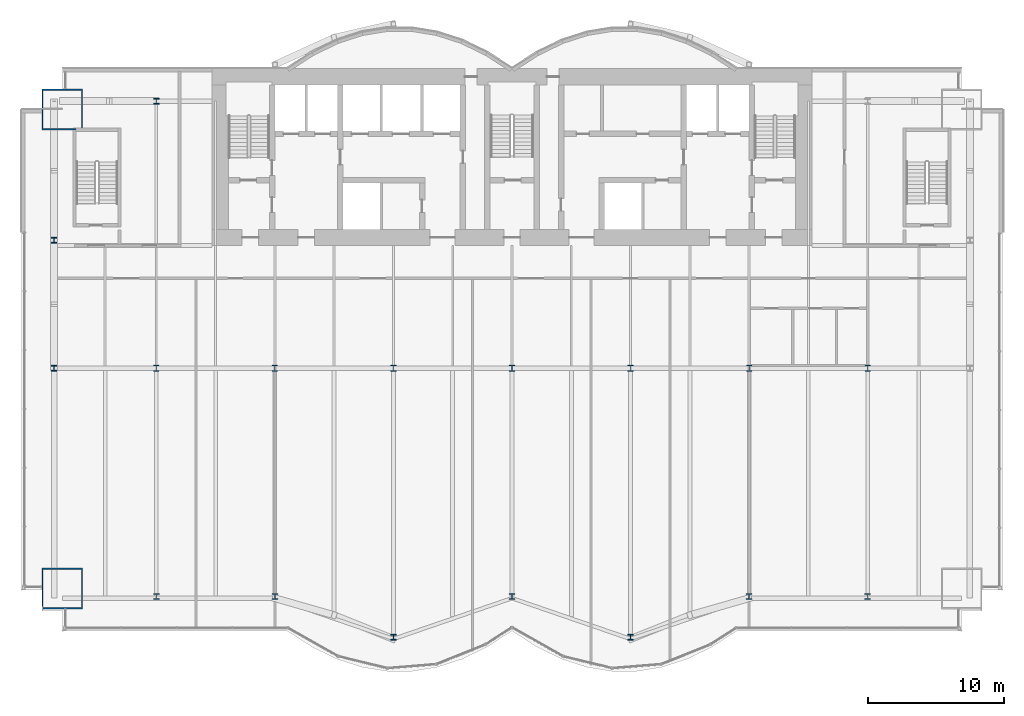
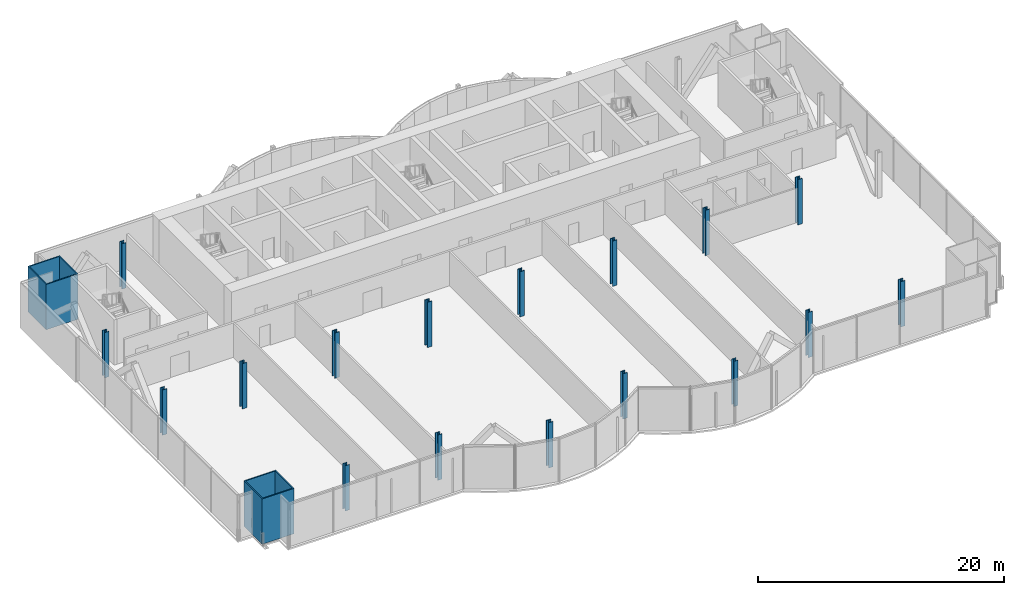
# One storey, part 1 of 21: 19 columns.
"""IFC4 building model written with IfcOpenShell, lengths in metres."""

from ifc_helpers import new_model, si_unit, direction, frame, origin, origin_2d, place, context, subcontext, project, spatial, hollow_rectangle, i_section, extrude, material, material_profile, profile_set, type_object, element, save


model = new_model("IFC4")

# Units and contexts
model_context = context("Model", 3, precision=1e-05, world=origin(), true_north=direction((0.0, 1.0)))
body_context = subcontext(model_context, "Body", "Model", "MODEL_VIEW")
ifc_project = project(units=[si_unit("LENGTHUNIT", "METRE"), si_unit("AREAUNIT", "SQUARE_METRE"), si_unit("VOLUMEUNIT", "CUBIC_METRE"), si_unit("PLANEANGLEUNIT", "RADIAN"), si_unit("MASSUNIT", "GRAM", prefix="KILO")], contexts=[model_context])

# Site, building, storey
site_placement = place(None, origin())
site = spatial("IfcSite", under=ifc_project, at=site_placement, CompositionType="ELEMENT")
building_placement = place(site_placement, origin())
building = spatial("IfcBuilding", under=site, at=building_placement, Name="Bicima Exchange Tower", CompositionType="ELEMENT")
storey_placement = place(building_placement, frame((0.0, 0.0, 48.5)))
storey = spatial("IfcBuildingStorey", under=building, at=storey_placement, Name="L09", CompositionType="ELEMENT", Elevation=48.5)

# Columns
ifc_material_1 = material(Name="Steel ASTM A992 Gr 50", Category="steel")
ifc_material_profile_1 = material_profile(ifc_material_1, i_section(OverallWidth=0.419189453125, OverallDepth=0.45458984375, WebThickness=0.042236328125, FlangeThickness=0.067626953125, at=origin_2d()))
ifc_profile_set_1 = profile_set([ifc_material_profile_1], Name="Steel ASTM A992 Gr 50")
column_type_1 = type_object("IfcColumnType", Name="Interior column W14x370", PredefinedType="COLUMN", material=ifc_profile_set_1)
for number, where, z_axis, x_axis, name in (
    (1, (-26.10009765625, -22.0, 0.0), (0.0, 0.0, 1.0), (1.0, 0.0, 0.0), "Interior column interior-26.1i"),
    (2, (-17.39990234375, -22.0, 0.0), (0.0, 0.0, 1.0), (1.0, 0.0, 0.0), "Interior column interior-17.4i"),
    (3, (-8.699951171875, -22.0, 0.0), (0.0, 0.0, 1.0), (1.0, 0.0, 0.0), "Interior column interior-8.7i"),
    (4, (0.0, -22.0, 0.0), (0.0, 0.0, 1.0), (1.0, 0.0, 0.0), "Interior column interior+0.0i"),
    (5, (8.699951171875, -22.0, 0.0), (0.0, 0.0, 1.0), (1.0, 0.0, 0.0), "Interior column interior+8.7i"),
    (6, (17.39990234375, -22.0, 0.0), (0.0, 0.0, 1.0), (1.0, 0.0, 0.0), "Interior column interior+17.4i"),
    (7, (26.10009765625, -22.0, 0.0), (0.0, 0.0, 1.0), (1.0, 0.0, 0.0), "Interior column interior+26.1i"),
):
    element("IfcColumn", number, at=place(storey_placement, frame(where, z_axis=z_axis, x_axis=x_axis)), inside=storey, type_object=column_type_1, Name=name, PredefinedType="COLUMN", context=body_context, shape_type="SweptSolid", body=[
        extrude(i_section(OverallWidth=0.419189453125, OverallDepth=0.45458984375, WebThickness=0.042236328125, FlangeThickness=0.067626953125, at=origin_2d()), origin(), (0.0, 0.0, 1.0), 4.5),
    ])
ifc_material_2 = material(Name="Steel ASTM A572 Gr 50", Category="steel")
ifc_material_profile_2 = material_profile(ifc_material_2, hollow_rectangle(XDim=3.0, YDim=3.0, WallThickness=0.10009765625, at=origin_2d()))
ifc_profile_set_2 = profile_set([ifc_material_profile_2], Name="Steel ASTM A572 Gr 50")
column_type_2 = type_object("IfcColumnType", Name="Mega column BOX 3000x3000x100", PredefinedType="COLUMN", material=ifc_profile_set_2)
for number, where, z_axis, x_axis, name in (
    (8, (-33.0, -38.14599609375, 0.0), (0.0, 0.0, 1.0), (1.0, 0.0, 0.0), "Mega column mega-33.0f"),
    (9, (-33.0, -3.0, 0.0), (0.0, 0.0, 1.0), (1.0, 0.0, 0.0), "Mega column mega-33.0r"),
):
    element("IfcColumn", number, at=place(storey_placement, frame(where, z_axis=z_axis, x_axis=x_axis)), inside=storey, type_object=column_type_2, Name=name, PredefinedType="COLUMN", context=body_context, shape_type="SweptSolid", body=[
        extrude(hollow_rectangle(XDim=3.0, YDim=3.0, WallThickness=0.10009765625, at=origin_2d()), origin(), (0.0, 0.0, 1.0), 4.5),
    ])
ifc_material_profile_3 = material_profile(ifc_material_1, i_section(OverallWidth=0.406494140625, OverallDepth=0.41650390625, WebThickness=0.030029296875, FlangeThickness=0.048095703125, at=origin_2d()))
ifc_profile_set_3 = profile_set([ifc_material_profile_3], Name="Steel ASTM A992 Gr 50")
column_type_3 = type_object("IfcColumnType", Name="Perimeter column W14x257", PredefinedType="COLUMN", material=ifc_profile_set_3)
for number, where, z_axis, x_axis, name in (
    (10, (-26.10009765625, -38.74609375, 0.0), (0.0, 0.0, 1.0), (1.0, 0.0, 0.0), "Perimeter column grav-26.1f"),
    (11, (-26.10009765625, -2.39990234375, 0.0), (0.0, 0.0, 1.0), (1.0, 0.0, 0.0), "Perimeter column grav-26.1r"),
    (12, (-17.39990234375, -38.74609375, 0.0), (0.0, 0.0, 1.0), (1.0, 0.0, 0.0), "Perimeter column grav-17.4f"),
    (13, (-8.699951171875, -41.737060546875, 0.0), (0.0, 0.0, 1.0), (1.0, 0.0, 0.0), "Perimeter column grav-8.7f"),
    (14, (0.0, -38.74609375, 0.0), (0.0, 0.0, 1.0), (1.0, 0.0, 0.0), "Perimeter column grav-0.0f"),
    (15, (8.699951171875, -41.737060546875, 0.0), (0.0, 0.0, 1.0), (1.0, 0.0, 0.0), "Perimeter column grav+8.7f"),
    (16, (17.39990234375, -38.74609375, 0.0), (0.0, 0.0, 1.0), (1.0, 0.0, 0.0), "Perimeter column grav+17.4f"),
    (17, (26.10009765625, -38.74609375, 0.0), (0.0, 0.0, 1.0), (1.0, 0.0, 0.0), "Perimeter column grav+26.1f"),
    (18, (-33.60009765625, -12.60009765625, 0.0), (0.0, 0.0, 1.0), (1.0, 0.0, 0.0), "End column end-33.6e"),
    (19, (-33.60009765625, -22.0, 0.0), (0.0, 0.0, 1.0), (1.0, 0.0, 0.0), "End column end-33.6e"),
):
    element("IfcColumn", number, at=place(storey_placement, frame(where, z_axis=z_axis, x_axis=x_axis)), inside=storey, type_object=column_type_3, Name=name, PredefinedType="COLUMN", context=body_context, shape_type="SweptSolid", body=[
        extrude(i_section(OverallWidth=0.406494140625, OverallDepth=0.41650390625, WebThickness=0.030029296875, FlangeThickness=0.048095703125, at=origin_2d()), origin(), (0.0, 0.0, 1.0), 4.5),
    ])

save(model, "model.ifc")
